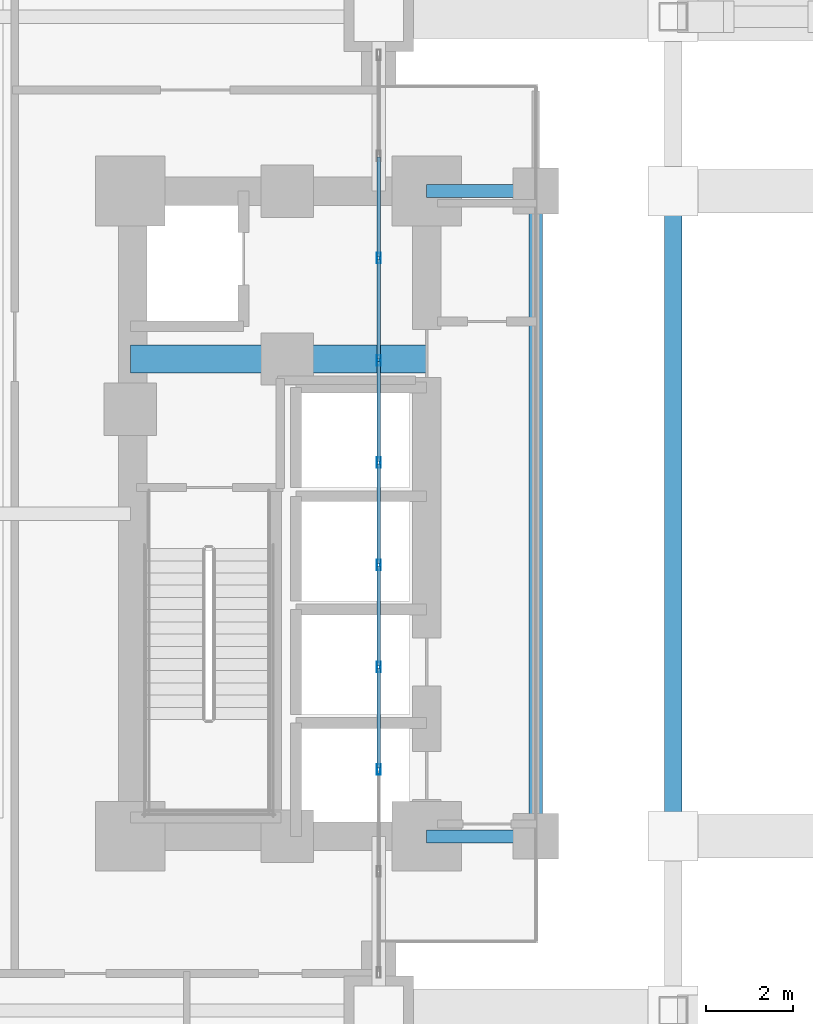
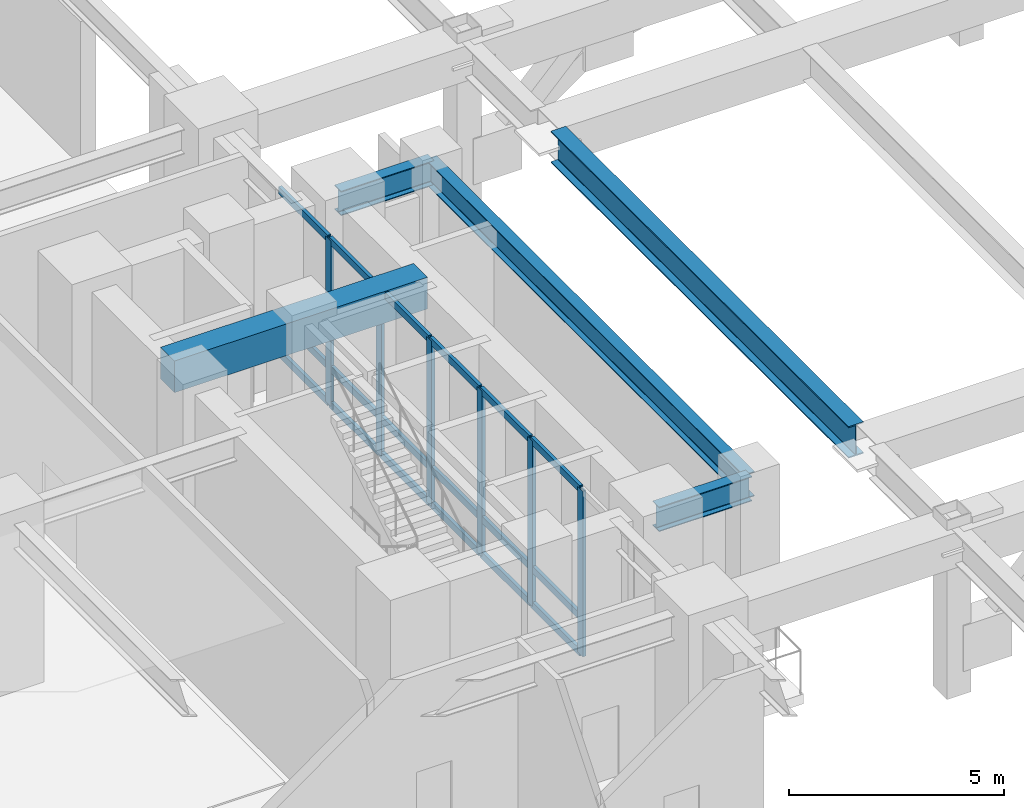
# One storey, part 4 of 26: 24 members, 5 beams, 1 element without a shape of its own.
"""IFC4 building model written with IfcOpenShell, lengths in metres."""

from ifc_helpers import new_model, si_unit, direction, frame, origin, origin_2d, place, context, subcontext, project, spatial, rectangle, hollow_rectangle, i_section, extrude, material, layer, layer_set, material_profile, profile_set, type_object, element, aggregate, save


model = new_model("IFC4")

# Units and contexts
model_context = context("Model", 3, precision=1e-05, world=origin(), true_north=direction((0.0, 1.0)))
body_context = subcontext(model_context, "Body", "Model", "MODEL_VIEW")
ifc_project = project(units=[si_unit("LENGTHUNIT", "METRE"), si_unit("AREAUNIT", "SQUARE_METRE"), si_unit("VOLUMEUNIT", "CUBIC_METRE"), si_unit("PLANEANGLEUNIT", "RADIAN"), si_unit("MASSUNIT", "GRAM", prefix="KILO")], contexts=[model_context])

# Site, building, storey
site_placement = place(None, origin())
site = spatial("IfcSite", under=ifc_project, at=site_placement, CompositionType="ELEMENT")
building_placement = place(site_placement, origin())
building = spatial("IfcBuilding", under=site, at=building_placement, Name="Voryun Gate Residences", CompositionType="ELEMENT")
storey_placement = place(building_placement, frame((0.0, 0.0, 15.60009765625)))
storey = spatial("IfcBuildingStorey", under=building, at=storey_placement, Name="L03", CompositionType="ELEMENT", Elevation=15.60009765625)

# Beams
ifc_material_1 = material(Name="Concrete C60/75", Category="concrete")
ifc_material_profile_1 = material_profile(ifc_material_1, rectangle(XDim=0.64990234375, YDim=0.89990234375, at=origin_2d()), Name="RC-650x900")
ifc_profile_set_1 = profile_set([ifc_material_profile_1], Name="Concrete C60/75")
beam_type_1 = type_object("IfcBeamType", Name="BM_COUP_RC900", PredefinedType="LINTEL", material=ifc_profile_set_1)
beam_1_placement = place(storey_placement, frame((-19.199951171875, 3.550048828125, 4.349853515625), z_axis=(1.0, 0.0, 0.0), x_axis=(0.0, 1.0, 0.0)))
element("IfcBeam", 1, at=beam_1_placement, inside=storey, type_object=beam_type_1, Name="BM-L03-WC1", PredefinedType="LINTEL", context=body_context, shape_type="SweptSolid", body=[
    extrude(rectangle(XDim=0.64990234375, YDim=0.89990234375, at=origin_2d()), origin(), (0.0, 0.0, 1.0), 6.800048828125),
])
ifc_material_2 = material(Name="Steel SM355", Category="steel")
ifc_material_profile_2 = material_profile(ifc_material_2, i_section(OverallWidth=0.300048828125, OverallDepth=0.699951171875, WebThickness=0.012939453125, FlangeThickness=0.02392578125, FilletRadius=0.01806640625, at=origin_2d()), Name="H-700x300x13x24")
ifc_profile_set_2 = profile_set([ifc_material_profile_2], Name="Steel SM355")
beam_type_2 = type_object("IfcBeamType", Name="BM_GIRD_700", PredefinedType="USERDEFINED", material=ifc_profile_set_2)
for number, where, z_axis, x_axis, name in (
    (2, (-12.39990234375, -7.39990234375, 4.449951171875), (1.0, 0.0, 0.0), (0.0, 1.0, 0.0), "BM-L03-CLRX-CLR-WS"),
    (3, (-12.39990234375, 7.39990234375, 4.449951171875), (1.0, 0.0, 0.0), (0.0, 1.0, 0.0), "BM-L03-CLRX-CLR-WN"),
):
    element("IfcBeam", number, at=place(storey_placement, frame(where, z_axis=z_axis, x_axis=x_axis)), inside=storey, type_object=beam_type_2, Name=name, ObjectType="GIRDER", PredefinedType="USERDEFINED", context=body_context, shape_type="SweptSolid", body=[
        extrude(i_section(OverallWidth=0.300048828125, OverallDepth=0.699951171875, WebThickness=0.012939453125, FlangeThickness=0.02392578125, FilletRadius=0.01806640625, at=origin_2d()), origin(), (0.0, 0.0, 1.0), 2.5),
    ])
beam_2_placement = place(storey_placement, frame((-9.89990234375, -7.39990234375, 4.449951171875), z_axis=(0.0, 1.0, 0.0), x_axis=(-1.0, 0.0, 0.0)))
element("IfcBeam", 4, at=beam_2_placement, inside=storey, type_object=beam_type_2, Name="BM-L03-CLRY-W", ObjectType="GIRDER", PredefinedType="USERDEFINED", context=body_context, shape_type="SweptSolid", body=[
    extrude(i_section(OverallWidth=0.300048828125, OverallDepth=0.699951171875, WebThickness=0.012939453125, FlangeThickness=0.02392578125, FilletRadius=0.01806640625, at=origin_2d()), origin(), (0.0, 0.0, 1.0), 14.7998046875),
])
ifc_material_3 = material(Name="Steel SM420", Category="steel")
ifc_material_profile_3 = material_profile(ifc_material_3, i_section(OverallWidth=0.39990234375, OverallDepth=0.89990234375, WebThickness=0.01806640625, FlangeThickness=0.031982421875, FilletRadius=0.01806640625, at=origin_2d()), Name="H-900x400x18x32")
ifc_profile_set_3 = profile_set([ifc_material_profile_3], Name="Steel SM420")
beam_type_3 = type_object("IfcBeamType", Name="BM_POD_TRUSS_CHD", PredefinedType="USERDEFINED", material=ifc_profile_set_3)
beam_3_placement = place(storey_placement, frame((-6.75, -6.925048828125, 4.349853515625), z_axis=(0.0, 1.0, 0.0), x_axis=(-1.0, 0.0, 0.0)))
element("IfcBeam", 5, at=beam_3_placement, inside=storey, type_object=beam_type_3, Name="BM-L03-ARCH-XDECK-M--6.75", ObjectType="GIRDER", PredefinedType="USERDEFINED", context=body_context, shape_type="SweptSolid", body=[
    extrude(i_section(OverallWidth=0.39990234375, OverallDepth=0.89990234375, WebThickness=0.01806640625, FlangeThickness=0.031982421875, FilletRadius=0.01806640625, at=origin_2d()), origin(), (0.0, 0.0, 1.0), 13.85009765625),
])

# Curtain wall, members
ifc_material_4 = material(Name="Anodised aluminium", Category="aluminium")
ifc_layer = layer(ifc_material_4, 0.239990234375, Name="CW_SYS_ARCH_DARK_GLASS")
ifc_layer_set = layer_set([ifc_layer], Name="Anodised aluminium")
curtain_wall_type = type_object("IfcCurtainWallType", Name="CW_SYS_ARCH_DARK_GLASS", PredefinedType="NOTDEFINED", material=ifc_layer_set)
curtain_wall_placement = place(storey_placement, origin())
curtain_wall = element("IfcCurtainWall", 6, at=curtain_wall_placement, inside=storey, type_object=curtain_wall_type, Name="Curtain wall CW2-L03-WP-M", PredefinedType="NOTDEFINED")
ifc_material_5 = material(Name="Anodised aluminium", Category="aluminium")
ifc_material_profile_4 = material_profile(ifc_material_5, hollow_rectangle(XDim=0.090087890625, YDim=0.239990234375, WallThickness=0.006103515625, at=origin_2d()), Name="ALU-MULL-240x90x6")
ifc_profile_set_4 = profile_set([ifc_material_profile_4], Name="Anodised aluminium")
member_type_1 = type_object("IfcMemberType", Name="CW_MULL_ARCH", PredefinedType="MULLION", material=ifc_profile_set_4)
member_1_placement = place(storey_placement, frame((-13.5, -5.86376953125, 0.0), z_axis=(0.0, 0.0, 1.0), x_axis=(-1.0, 0.0, 0.0)))
member_1 = element("IfcMember", 7, at=member_1_placement, type_object=member_type_1, Name="CW2 mullion 3", PredefinedType="MULLION", context=body_context, shape_type="SweptSolid", body=[
    extrude(hollow_rectangle(XDim=0.090087890625, YDim=0.239990234375, WallThickness=0.006103515625, at=origin_2d()), origin(), (0.0, 0.0, 1.0), 4.699951171875),
])
member_2_placement = place(storey_placement, frame((-13.5, -3.518310546875, 0.0), z_axis=(0.0, 0.0, 1.0), x_axis=(-1.0, 0.0, 0.0)))
member_2 = element("IfcMember", 8, at=member_2_placement, type_object=member_type_1, Name="CW2 mullion 4", PredefinedType="MULLION", context=body_context, shape_type="SweptSolid", body=[
    extrude(hollow_rectangle(XDim=0.090087890625, YDim=0.239990234375, WallThickness=0.006103515625, at=origin_2d()), origin(), (0.0, 0.0, 1.0), 4.699951171875),
])
member_3_placement = place(storey_placement, frame((-13.5, -1.1728515625, 0.0), z_axis=(0.0, 0.0, 1.0), x_axis=(-1.0, 0.0, 0.0)))
member_3 = element("IfcMember", 9, at=member_3_placement, type_object=member_type_1, Name="CW2 mullion 5", PredefinedType="MULLION", context=body_context, shape_type="SweptSolid", body=[
    extrude(hollow_rectangle(XDim=0.090087890625, YDim=0.239990234375, WallThickness=0.006103515625, at=origin_2d()), origin(), (0.0, 0.0, 1.0), 4.699951171875),
])
member_4_placement = place(storey_placement, frame((-13.5, 1.1728515625, 0.0), z_axis=(0.0, 0.0, 1.0), x_axis=(-1.0, 0.0, 0.0)))
member_4 = element("IfcMember", 10, at=member_4_placement, type_object=member_type_1, Name="CW2 mullion 6", PredefinedType="MULLION", context=body_context, shape_type="SweptSolid", body=[
    extrude(hollow_rectangle(XDim=0.090087890625, YDim=0.239990234375, WallThickness=0.006103515625, at=origin_2d()), origin(), (0.0, 0.0, 1.0), 4.699951171875),
])
member_5_placement = place(storey_placement, frame((-13.5, 3.518310546875, 0.0), z_axis=(0.0, 0.0, 1.0), x_axis=(-1.0, 0.0, 0.0)))
member_5 = element("IfcMember", 11, at=member_5_placement, type_object=member_type_1, Name="CW2 mullion 7", PredefinedType="MULLION", context=body_context, shape_type="SweptSolid", body=[
    extrude(hollow_rectangle(XDim=0.090087890625, YDim=0.239990234375, WallThickness=0.006103515625, at=origin_2d()), origin(), (0.0, 0.0, 1.0), 4.699951171875),
])
member_6_placement = place(storey_placement, frame((-13.5, 5.86376953125, 0.0), z_axis=(0.0, 0.0, 1.0), x_axis=(-1.0, 0.0, 0.0)))
member_6 = element("IfcMember", 12, at=member_6_placement, type_object=member_type_1, Name="CW2 mullion 8", PredefinedType="MULLION", context=body_context, shape_type="SweptSolid", body=[
    extrude(hollow_rectangle(XDim=0.090087890625, YDim=0.239990234375, WallThickness=0.006103515625, at=origin_2d()), origin(), (0.0, 0.0, 1.0), 4.699951171875),
])
ifc_material_6 = material(Name="Anodised aluminium", Category="aluminium")
ifc_material_profile_5 = material_profile(ifc_material_6, hollow_rectangle(XDim=0.090087890625, YDim=0.199951171875, WallThickness=0.006103515625, at=origin_2d()), Name="ALU-TRAN-200x90x6")
ifc_profile_set_5 = profile_set([ifc_material_profile_5], Name="Anodised aluminium")
member_type_2 = type_object("IfcMemberType", Name="CW_TRAN_ARCH", PredefinedType="USERDEFINED", material=ifc_profile_set_5)
member_7_placement = place(storey_placement, frame((-13.5, -5.833984375, 0.02978515625), z_axis=(0.0, 1.0, 0.0), x_axis=(-1.0, 0.0, 0.0)))
member_7 = element("IfcMember", 13, at=member_7_placement, type_object=member_type_2, Name="CW2 transom 3.1", ObjectType="TRANSOM", PredefinedType="USERDEFINED", context=body_context, shape_type="SweptSolid", body=[
    extrude(hollow_rectangle(XDim=0.090087890625, YDim=0.199951171875, WallThickness=0.006103515625, at=origin_2d()), origin(), (0.0, 0.0, 1.0), 2.28564453125),
])
member_8_placement = place(storey_placement, frame((-13.5, -5.833984375, 1.0498046875), z_axis=(0.0, 1.0, 0.0), x_axis=(-1.0, 0.0, 0.0)))
member_8 = element("IfcMember", 14, at=member_8_placement, type_object=member_type_2, Name="CW2 transom 3.2", ObjectType="TRANSOM", PredefinedType="USERDEFINED", context=body_context, shape_type="SweptSolid", body=[
    extrude(hollow_rectangle(XDim=0.090087890625, YDim=0.199951171875, WallThickness=0.006103515625, at=origin_2d()), origin(), (0.0, 0.0, 1.0), 2.28564453125),
])
member_9_placement = place(storey_placement, frame((-13.5, -5.833984375, 4.669921875), z_axis=(0.0, 1.0, 0.0), x_axis=(-1.0, 0.0, 0.0)))
member_9 = element("IfcMember", 15, at=member_9_placement, type_object=member_type_2, Name="CW2 transom 3.3", ObjectType="TRANSOM", PredefinedType="USERDEFINED", context=body_context, shape_type="SweptSolid", body=[
    extrude(hollow_rectangle(XDim=0.090087890625, YDim=0.199951171875, WallThickness=0.006103515625, at=origin_2d()), origin(), (0.0, 0.0, 1.0), 2.28564453125),
])
member_10_placement = place(storey_placement, frame((-13.5, -3.48828125, 0.02978515625), z_axis=(0.0, 1.0, 0.0), x_axis=(-1.0, 0.0, 0.0)))
member_10 = element("IfcMember", 16, at=member_10_placement, type_object=member_type_2, Name="CW2 transom 4.1", ObjectType="TRANSOM", PredefinedType="USERDEFINED", context=body_context, shape_type="SweptSolid", body=[
    extrude(hollow_rectangle(XDim=0.090087890625, YDim=0.199951171875, WallThickness=0.006103515625, at=origin_2d()), origin(), (0.0, 0.0, 1.0), 2.285400390625),
])
member_11_placement = place(storey_placement, frame((-13.5, -3.48828125, 1.0498046875), z_axis=(0.0, 1.0, 0.0), x_axis=(-1.0, 0.0, 0.0)))
member_11 = element("IfcMember", 17, at=member_11_placement, type_object=member_type_2, Name="CW2 transom 4.2", ObjectType="TRANSOM", PredefinedType="USERDEFINED", context=body_context, shape_type="SweptSolid", body=[
    extrude(hollow_rectangle(XDim=0.090087890625, YDim=0.199951171875, WallThickness=0.006103515625, at=origin_2d()), origin(), (0.0, 0.0, 1.0), 2.285400390625),
])
member_12_placement = place(storey_placement, frame((-13.5, -3.48828125, 4.669921875), z_axis=(0.0, 1.0, 0.0), x_axis=(-1.0, 0.0, 0.0)))
member_12 = element("IfcMember", 18, at=member_12_placement, type_object=member_type_2, Name="CW2 transom 4.3", ObjectType="TRANSOM", PredefinedType="USERDEFINED", context=body_context, shape_type="SweptSolid", body=[
    extrude(hollow_rectangle(XDim=0.090087890625, YDim=0.199951171875, WallThickness=0.006103515625, at=origin_2d()), origin(), (0.0, 0.0, 1.0), 2.285400390625),
])
member_13_placement = place(storey_placement, frame((-13.5, -1.142822265625, 0.02978515625), z_axis=(0.0, 1.0, 0.0), x_axis=(-1.0, 0.0, 0.0)))
member_13 = element("IfcMember", 19, at=member_13_placement, type_object=member_type_2, Name="CW2 transom 5.1", ObjectType="TRANSOM", PredefinedType="USERDEFINED", context=body_context, shape_type="SweptSolid", body=[
    extrude(hollow_rectangle(XDim=0.090087890625, YDim=0.199951171875, WallThickness=0.006103515625, at=origin_2d()), origin(), (0.0, 0.0, 1.0), 2.28564453125),
])
member_14_placement = place(storey_placement, frame((-13.5, -1.142822265625, 1.0498046875), z_axis=(0.0, 1.0, 0.0), x_axis=(-1.0, 0.0, 0.0)))
member_14 = element("IfcMember", 20, at=member_14_placement, type_object=member_type_2, Name="CW2 transom 5.2", ObjectType="TRANSOM", PredefinedType="USERDEFINED", context=body_context, shape_type="SweptSolid", body=[
    extrude(hollow_rectangle(XDim=0.090087890625, YDim=0.199951171875, WallThickness=0.006103515625, at=origin_2d()), origin(), (0.0, 0.0, 1.0), 2.28564453125),
])
member_15_placement = place(storey_placement, frame((-13.5, -1.142822265625, 4.669921875), z_axis=(0.0, 1.0, 0.0), x_axis=(-1.0, 0.0, 0.0)))
member_15 = element("IfcMember", 21, at=member_15_placement, type_object=member_type_2, Name="CW2 transom 5.3", ObjectType="TRANSOM", PredefinedType="USERDEFINED", context=body_context, shape_type="SweptSolid", body=[
    extrude(hollow_rectangle(XDim=0.090087890625, YDim=0.199951171875, WallThickness=0.006103515625, at=origin_2d()), origin(), (0.0, 0.0, 1.0), 2.28564453125),
])
member_16_placement = place(storey_placement, frame((-13.5, 1.202880859375, 0.02978515625), z_axis=(0.0, 1.0, 0.0), x_axis=(-1.0, 0.0, 0.0)))
member_16 = element("IfcMember", 22, at=member_16_placement, type_object=member_type_2, Name="CW2 transom 6.1", ObjectType="TRANSOM", PredefinedType="USERDEFINED", context=body_context, shape_type="SweptSolid", body=[
    extrude(hollow_rectangle(XDim=0.090087890625, YDim=0.199951171875, WallThickness=0.006103515625, at=origin_2d()), origin(), (0.0, 0.0, 1.0), 2.285400390625),
])
member_17_placement = place(storey_placement, frame((-13.5, 1.202880859375, 1.0498046875), z_axis=(0.0, 1.0, 0.0), x_axis=(-1.0, 0.0, 0.0)))
member_17 = element("IfcMember", 23, at=member_17_placement, type_object=member_type_2, Name="CW2 transom 6.2", ObjectType="TRANSOM", PredefinedType="USERDEFINED", context=body_context, shape_type="SweptSolid", body=[
    extrude(hollow_rectangle(XDim=0.090087890625, YDim=0.199951171875, WallThickness=0.006103515625, at=origin_2d()), origin(), (0.0, 0.0, 1.0), 2.285400390625),
])
member_18_placement = place(storey_placement, frame((-13.5, 1.202880859375, 4.669921875), z_axis=(0.0, 1.0, 0.0), x_axis=(-1.0, 0.0, 0.0)))
member_18 = element("IfcMember", 24, at=member_18_placement, type_object=member_type_2, Name="CW2 transom 6.3", ObjectType="TRANSOM", PredefinedType="USERDEFINED", context=body_context, shape_type="SweptSolid", body=[
    extrude(hollow_rectangle(XDim=0.090087890625, YDim=0.199951171875, WallThickness=0.006103515625, at=origin_2d()), origin(), (0.0, 0.0, 1.0), 2.285400390625),
])
member_19_placement = place(storey_placement, frame((-13.5, 3.54833984375, 0.02978515625), z_axis=(0.0, 1.0, 0.0), x_axis=(-1.0, 0.0, 0.0)))
member_19 = element("IfcMember", 25, at=member_19_placement, type_object=member_type_2, Name="CW2 transom 7.1", ObjectType="TRANSOM", PredefinedType="USERDEFINED", context=body_context, shape_type="SweptSolid", body=[
    extrude(hollow_rectangle(XDim=0.090087890625, YDim=0.199951171875, WallThickness=0.006103515625, at=origin_2d()), origin(), (0.0, 0.0, 1.0), 2.28564453125),
])
member_20_placement = place(storey_placement, frame((-13.5, 3.54833984375, 1.0498046875), z_axis=(0.0, 1.0, 0.0), x_axis=(-1.0, 0.0, 0.0)))
member_20 = element("IfcMember", 26, at=member_20_placement, type_object=member_type_2, Name="CW2 transom 7.2", ObjectType="TRANSOM", PredefinedType="USERDEFINED", context=body_context, shape_type="SweptSolid", body=[
    extrude(hollow_rectangle(XDim=0.090087890625, YDim=0.199951171875, WallThickness=0.006103515625, at=origin_2d()), origin(), (0.0, 0.0, 1.0), 2.28564453125),
])
member_21_placement = place(storey_placement, frame((-13.5, 3.54833984375, 4.669921875), z_axis=(0.0, 1.0, 0.0), x_axis=(-1.0, 0.0, 0.0)))
member_21 = element("IfcMember", 27, at=member_21_placement, type_object=member_type_2, Name="CW2 transom 7.3", ObjectType="TRANSOM", PredefinedType="USERDEFINED", context=body_context, shape_type="SweptSolid", body=[
    extrude(hollow_rectangle(XDim=0.090087890625, YDim=0.199951171875, WallThickness=0.006103515625, at=origin_2d()), origin(), (0.0, 0.0, 1.0), 2.28564453125),
])
member_22_placement = place(storey_placement, frame((-13.5, 5.893798828125, 0.02978515625), z_axis=(0.0, 1.0, 0.0), x_axis=(-1.0, 0.0, 0.0)))
member_22 = element("IfcMember", 28, at=member_22_placement, type_object=member_type_2, Name="CW2 transom 8.1", ObjectType="TRANSOM", PredefinedType="USERDEFINED", context=body_context, shape_type="SweptSolid", body=[
    extrude(hollow_rectangle(XDim=0.090087890625, YDim=0.199951171875, WallThickness=0.006103515625, at=origin_2d()), origin(), (0.0, 0.0, 1.0), 2.28564453125),
])
member_23_placement = place(storey_placement, frame((-13.5, 5.893798828125, 1.0498046875), z_axis=(0.0, 1.0, 0.0), x_axis=(-1.0, 0.0, 0.0)))
member_23 = element("IfcMember", 29, at=member_23_placement, type_object=member_type_2, Name="CW2 transom 8.2", ObjectType="TRANSOM", PredefinedType="USERDEFINED", context=body_context, shape_type="SweptSolid", body=[
    extrude(hollow_rectangle(XDim=0.090087890625, YDim=0.199951171875, WallThickness=0.006103515625, at=origin_2d()), origin(), (0.0, 0.0, 1.0), 2.28564453125),
])
member_24_placement = place(storey_placement, frame((-13.5, 5.893798828125, 4.669921875), z_axis=(0.0, 1.0, 0.0), x_axis=(-1.0, 0.0, 0.0)))
member_24 = element("IfcMember", 30, at=member_24_placement, type_object=member_type_2, Name="CW2 transom 8.3", ObjectType="TRANSOM", PredefinedType="USERDEFINED", context=body_context, shape_type="SweptSolid", body=[
    extrude(hollow_rectangle(XDim=0.090087890625, YDim=0.199951171875, WallThickness=0.006103515625, at=origin_2d()), origin(), (0.0, 0.0, 1.0), 2.28564453125),
])
aggregate(curtain_wall, [member_1, member_2, member_3, member_4, member_5, member_6, member_7, member_8, member_9, member_10, member_11, member_12, member_13, member_14, member_15, member_16, member_17, member_18, member_19, member_20, member_21, member_22, member_23, member_24])

save(model, "model.ifc")
